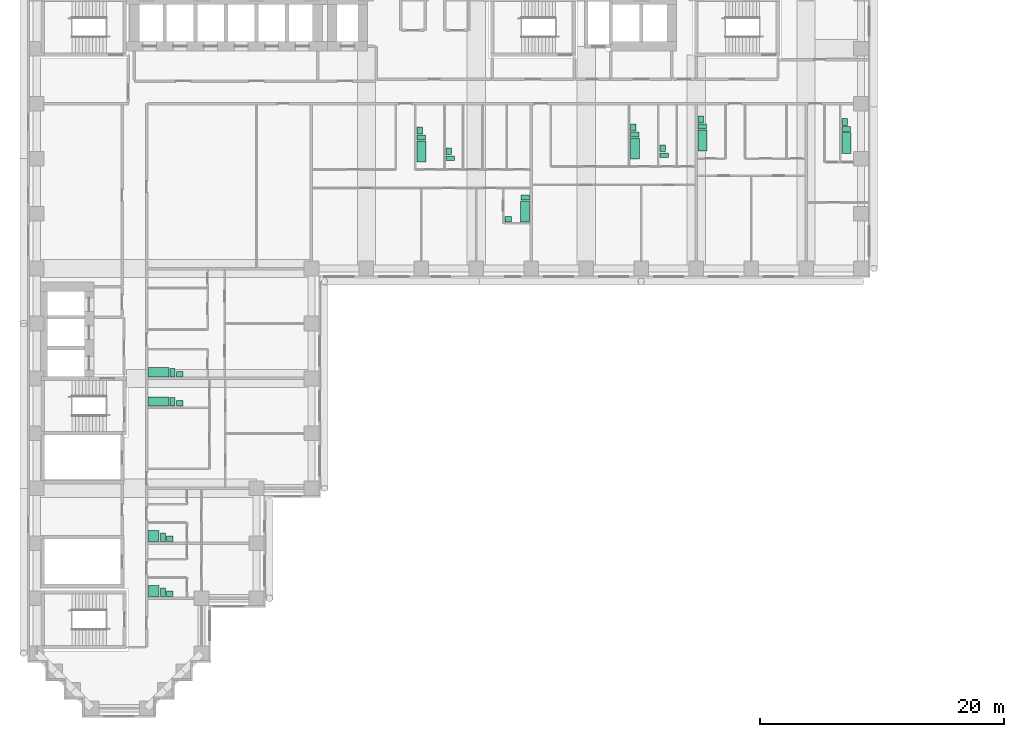
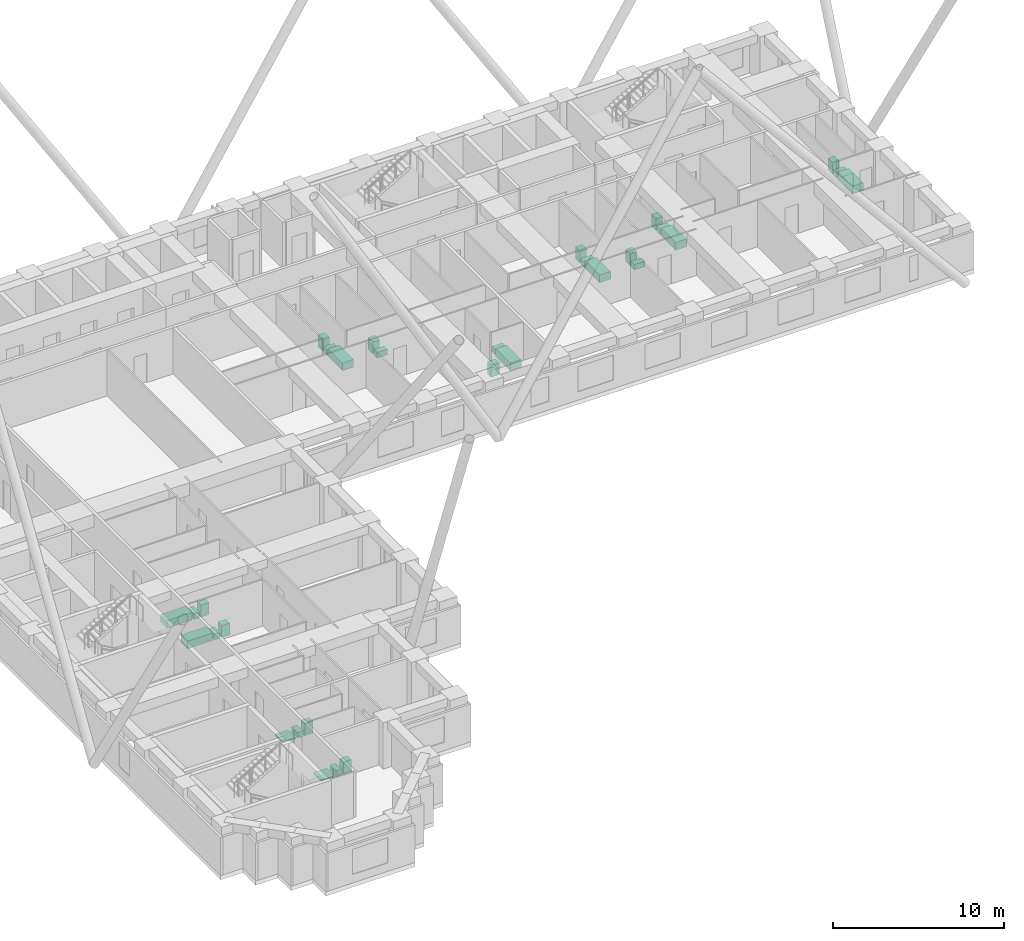
# One storey, part 20 of 20: 31 sanitary terminals.
"""IFC4 building model written with IfcOpenShell, lengths in metres."""

from ifc_helpers import new_model, si_unit, direction, frame, origin, origin_2d, place, context, subcontext, project, spatial, rectangle, extrude, material, type_object, element, save


model = new_model("IFC4")

# Units and contexts
model_context = context("Model", 3, precision=1e-05, world=origin(), true_north=direction((0.0, 1.0)))
body_context = subcontext(model_context, "Body", "Model", "MODEL_VIEW")
ifc_project = project(units=[si_unit("LENGTHUNIT", "METRE"), si_unit("AREAUNIT", "SQUARE_METRE"), si_unit("VOLUMEUNIT", "CUBIC_METRE"), si_unit("PLANEANGLEUNIT", "RADIAN"), si_unit("MASSUNIT", "GRAM", prefix="KILO")], contexts=[model_context])

# Site, building, storey
site_placement = place(None, origin())
site = spatial("IfcSite", under=ifc_project, at=site_placement, CompositionType="ELEMENT")
building_placement = place(site_placement, origin())
building = spatial("IfcBuilding", under=site, at=building_placement, Name="Firuza Court", CompositionType="ELEMENT")
storey_placement = place(building_placement, frame((0.0, 0.0, 29.0)))
storey = spatial("IfcBuildingStorey", under=building, at=storey_placement, Name="L05", CompositionType="ELEMENT", Elevation=29.0)

# Sanitary terminals
ifc_material_1 = material(Name="Vitreous china", Category="ceramic")
sanitary_terminal_type_1 = type_object("IfcSanitaryTerminalType", Name="Fixture Bath", PredefinedType="BATH", material=ifc_material_1)
for number, where, z_axis, x_axis, name in (
    (1, (31.5048828125, 45.580078125, 0.0), (0.0, 0.0, 1.0), (1.0, 0.0, 0.0), "Bath"),
    (2, (39.9951171875, 40.679931640625, 0.0), (0.0, 0.0, 1.0), (1.0, 0.0, 0.0), "Bath"),
    (3, (49.0048828125, 45.830078125, 0.0), (0.0, 0.0, 1.0), (1.0, 0.0, 0.0), "Bath"),
    (4, (54.5048828125, 46.47998046875, 0.0), (0.0, 0.0, 1.0), (1.0, 0.0, 0.0), "Bath"),
    (5, (66.304931640625, 46.280029296875, 0.0), (0.0, 0.0, 1.0), (1.0, 0.0, 0.0), "Bath"),
):
    element("IfcSanitaryTerminal", number, at=place(storey_placement, frame(where, z_axis=z_axis, x_axis=x_axis)), inside=storey, type_object=sanitary_terminal_type_1, Name=name, PredefinedType="BATH", context=body_context, shape_type="SweptSolid", body=[
        extrude(rectangle(XDim=0.75, YDim=1.699951171875, at=origin_2d()), origin(), (0.0, 0.0, 1.0), 0.550048828125),
    ])
for number, where, z_axis, x_axis, name in (
    (6, (9.97998046875, 27.5048828125, 0.0), (0.0, 0.0, 1.0), (1.0, 0.0, 0.0), "Bath"),
    (7, (9.97998046875, 25.10498046875, 0.0), (0.0, 0.0, 1.0), (1.0, 0.0, 0.0), "Bath"),
):
    element("IfcSanitaryTerminal", number, at=place(storey_placement, frame(where, z_axis=z_axis, x_axis=x_axis)), inside=storey, type_object=sanitary_terminal_type_1, Name=name, PredefinedType="BATH", context=body_context, shape_type="SweptSolid", body=[
        extrude(rectangle(XDim=1.699951171875, YDim=0.75, at=origin_2d()), origin(), (0.0, 0.0, 1.0), 0.550048828125),
    ])
ifc_material_2 = material(Name="Vitreous china", Category="ceramic")
sanitary_terminal_type_2 = type_object("IfcSanitaryTerminalType", Name="Fixture Shower tray", PredefinedType="SHOWER", material=ifc_material_2)
for number, where, z_axis, x_axis, name in (
    (8, (9.580078125, 14.080078125, 0.0), (0.0, 0.0, 1.0), (1.0, 0.0, 0.0), "Shower tray"),
    (9, (9.580078125, 9.580078125, 0.0), (0.0, 0.0, 1.0), (1.0, 0.0, 0.0), "Shower tray"),
):
    element("IfcSanitaryTerminal", number, at=place(storey_placement, frame(where, z_axis=z_axis, x_axis=x_axis)), inside=storey, type_object=sanitary_terminal_type_2, Name=name, PredefinedType="SHOWER", context=body_context, shape_type="SweptSolid", body=[
        extrude(rectangle(XDim=0.89990234375, YDim=0.89990234375, at=origin_2d()), origin(), (0.0, 0.0, 1.0), 0.10009765625),
    ])
ifc_material_3 = material(Name="Vitreous china", Category="ceramic")
sanitary_terminal_type_3 = type_object("IfcSanitaryTerminalType", Name="Fixture WC pan", PredefinedType="TOILETPAN", material=ifc_material_3)
for number, where, z_axis, x_axis, name in (
    (10, (31.47998046875, 46.72998046875, 0.0), (0.0, 0.0, 1.0), (1.0, 0.0, 0.0), "WC pan"),
    (11, (33.8798828125, 45.030029296875, 0.0), (0.0, 0.0, 1.0), (1.0, 0.0, 0.0), "WC pan"),
    (12, (40.02001953125, 41.830078125, 0.0), (0.0, 0.0, 1.0), (1.0, 0.0, 0.0), "WC pan"),
    (13, (48.97998046875, 46.97998046875, 0.0), (0.0, 0.0, 1.0), (1.0, 0.0, 0.0), "WC pan"),
    (14, (51.3798828125, 45.280029296875, 0.0), (0.0, 0.0, 1.0), (1.0, 0.0, 0.0), "WC pan"),
    (15, (54.47998046875, 47.6298828125, 0.0), (0.0, 0.0, 1.0), (1.0, 0.0, 0.0), "WC pan"),
    (16, (66.280029296875, 47.429931640625, 0.0), (0.0, 0.0, 1.0), (1.0, 0.0, 0.0), "WC pan"),
):
    element("IfcSanitaryTerminal", number, at=place(storey_placement, frame(where, z_axis=z_axis, x_axis=x_axis)), inside=storey, type_object=sanitary_terminal_type_3, Name=name, PredefinedType="TOILETPAN", context=body_context, shape_type="SweptSolid", body=[
        extrude(rectangle(XDim=0.699951171875, YDim=0.39990234375, at=origin_2d()), origin(), (0.0, 0.0, 1.0), 0.39990234375),
    ])
for number, where, z_axis, x_axis, name in (
    (17, (11.1298828125, 27.47998046875, 0.0), (0.0, 0.0, 1.0), (1.0, 0.0, 0.0), "WC pan"),
    (18, (11.1298828125, 25.080078125, 0.0), (0.0, 0.0, 1.0), (1.0, 0.0, 0.0), "WC pan"),
    (19, (10.330078125, 13.97998046875, 0.0), (0.0, 0.0, 1.0), (1.0, 0.0, 0.0), "WC pan"),
    (20, (10.330078125, 9.47998046875, 0.0), (0.0, 0.0, 1.0), (1.0, 0.0, 0.0), "WC pan"),
):
    element("IfcSanitaryTerminal", number, at=place(storey_placement, frame(where, z_axis=z_axis, x_axis=x_axis)), inside=storey, type_object=sanitary_terminal_type_3, Name=name, PredefinedType="TOILETPAN", context=body_context, shape_type="SweptSolid", body=[
        extrude(rectangle(XDim=0.39990234375, YDim=0.699951171875, at=origin_2d()), origin(), (0.0, 0.0, 1.0), 0.39990234375),
    ])
ifc_material_4 = material(Name="Vitreous china", Category="ceramic")
sanitary_terminal_type_4 = type_object("IfcSanitaryTerminalType", Name="Fixture Washbasin", PredefinedType="WASHHANDBASIN", material=ifc_material_4)
for number, where, z_axis, x_axis, name in (
    (21, (31.35498046875, 47.304931640625, 0.0), (0.0, 0.0, 1.0), (1.0, 0.0, 0.0), "Washbasin"),
    (22, (33.7548828125, 45.60498046875, 0.0), (0.0, 0.0, 1.0), (1.0, 0.0, 0.0), "Washbasin"),
):
    element("IfcSanitaryTerminal", number, at=place(storey_placement, frame(where, z_axis=z_axis, x_axis=x_axis)), inside=storey, type_object=sanitary_terminal_type_4, Name=name, PredefinedType="WASHHANDBASIN", context=body_context, shape_type="SweptSolid", body=[
        extrude(rectangle(XDim=0.449951171875, YDim=0.550048828125, at=origin_2d()), origin(), (0.0, 0.0, 1.0), 0.85009765625),
    ])
sanitary_terminal_placement = place(storey_placement, frame((38.60498046875, 40.054931640625, 0.0), z_axis=(0.0, 0.0, 1.0), x_axis=(1.0, 0.0, 0.0)))
element("IfcSanitaryTerminal", 23, at=sanitary_terminal_placement, inside=storey, type_object=sanitary_terminal_type_4, Name="Washbasin", PredefinedType="WASHHANDBASIN", context=body_context, shape_type="SweptSolid", body=[
    extrude(rectangle(XDim=0.550048828125, YDim=0.449951171875, at=origin_2d()), origin(), (0.0, 0.0, 1.0), 0.85009765625),
])
for number, where, z_axis, x_axis, name in (
    (24, (48.85498046875, 47.554931640625, 0.0), (0.0, 0.0, 1.0), (1.0, 0.0, 0.0), "Washbasin"),
    (25, (51.2548828125, 45.85498046875, 0.0), (0.0, 0.0, 1.0), (1.0, 0.0, 0.0), "Washbasin"),
    (26, (54.35498046875, 48.205078125, 0.0), (0.0, 0.0, 1.0), (1.0, 0.0, 0.0), "Washbasin"),
    (27, (66.155029296875, 48.0048828125, 0.0), (0.0, 0.0, 1.0), (1.0, 0.0, 0.0), "Washbasin"),
):
    element("IfcSanitaryTerminal", number, at=place(storey_placement, frame(where, z_axis=z_axis, x_axis=x_axis)), inside=storey, type_object=sanitary_terminal_type_4, Name=name, PredefinedType="WASHHANDBASIN", context=body_context, shape_type="SweptSolid", body=[
        extrude(rectangle(XDim=0.449951171875, YDim=0.550048828125, at=origin_2d()), origin(), (0.0, 0.0, 1.0), 0.85009765625),
    ])
for number, where, z_axis, x_axis, name in (
    (28, (11.705078125, 27.35498046875, 0.0), (0.0, 0.0, 1.0), (1.0, 0.0, 0.0), "Washbasin"),
    (29, (11.705078125, 24.955078125, 0.0), (0.0, 0.0, 1.0), (1.0, 0.0, 0.0), "Washbasin"),
    (30, (10.905029296875, 13.85498046875, 0.0), (0.0, 0.0, 1.0), (1.0, 0.0, 0.0), "Washbasin"),
    (31, (10.905029296875, 9.35498046875, 0.0), (0.0, 0.0, 1.0), (1.0, 0.0, 0.0), "Washbasin"),
):
    element("IfcSanitaryTerminal", number, at=place(storey_placement, frame(where, z_axis=z_axis, x_axis=x_axis)), inside=storey, type_object=sanitary_terminal_type_4, Name=name, PredefinedType="WASHHANDBASIN", context=body_context, shape_type="SweptSolid", body=[
        extrude(rectangle(XDim=0.550048828125, YDim=0.449951171875, at=origin_2d()), origin(), (0.0, 0.0, 1.0), 0.85009765625),
    ])

save(model, "model.ifc")
